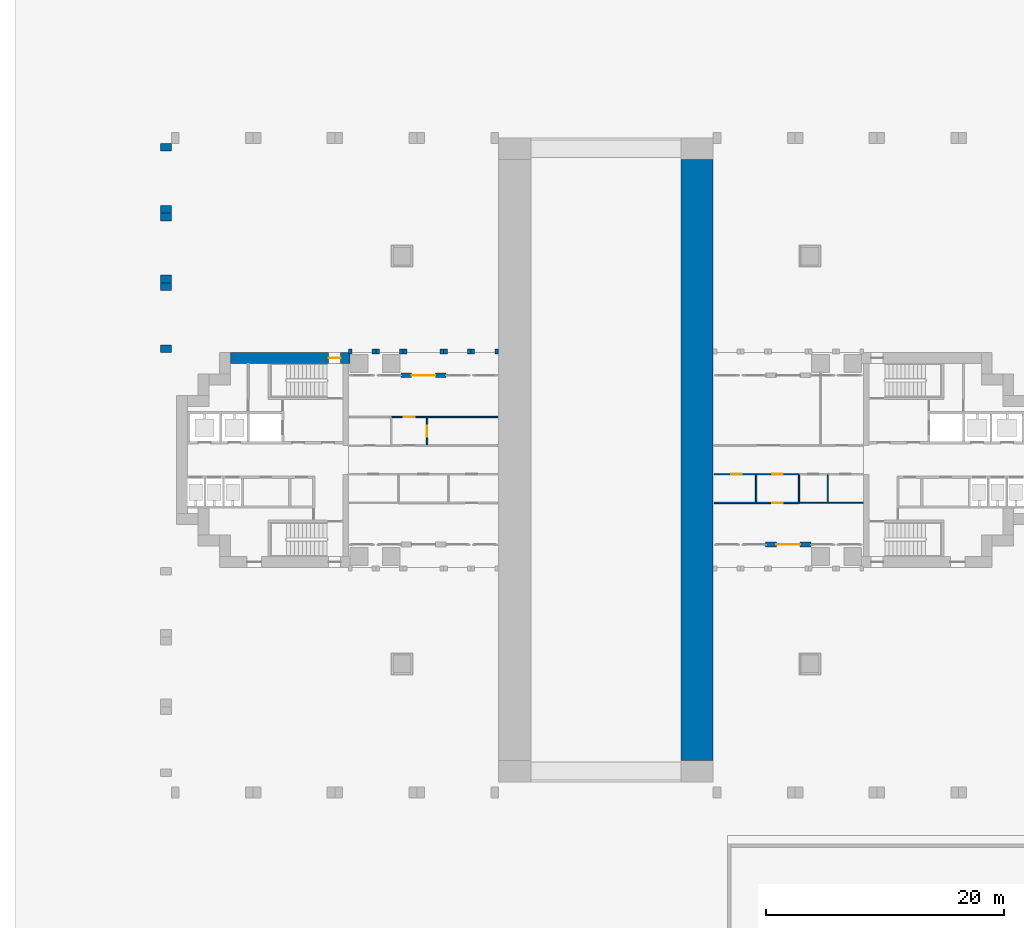
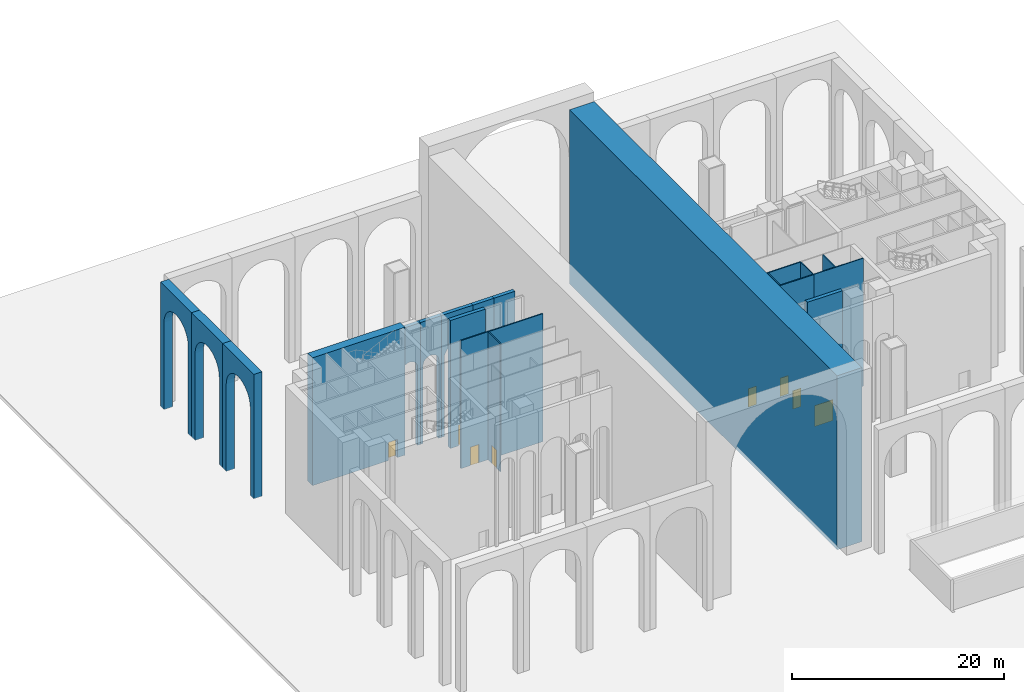
# One storey, part 7 of 18: 20 walls, 8 doors, 8 openings.
"""IFC4 building model written with IfcOpenShell, lengths in metres."""

from ifc_helpers import new_model, si_unit, direction, frame, frame_2d, origin, place, context, subcontext, project, spatial, polyline, rectangle, outline, extrude, material, layer, layer_set, type_object, element, fill, save


model = new_model("IFC4")

# Units and contexts
model_context = context("Model", 3, precision=1e-05, world=origin(), true_north=direction((0.0, 1.0)))
body_context = subcontext(model_context, "Body", "Model", "MODEL_VIEW")
ifc_project = project(units=[si_unit("LENGTHUNIT", "METRE"), si_unit("AREAUNIT", "SQUARE_METRE"), si_unit("VOLUMEUNIT", "CUBIC_METRE"), si_unit("PLANEANGLEUNIT", "RADIAN"), si_unit("MASSUNIT", "GRAM", prefix="KILO")], contexts=[model_context])

# Site, building, storey
site_placement = place(None, origin())
site = spatial("IfcSite", under=ifc_project, at=site_placement, CompositionType="ELEMENT")
building_placement = place(site_placement, origin())
building = spatial("IfcBuilding", under=site, at=building_placement, Name="Perihelion Cross Residences", CompositionType="ELEMENT")
storey_placement = place(building_placement, origin())
storey = spatial("IfcBuildingStorey", under=building, at=storey_placement, Name="L00", CompositionType="ELEMENT", Elevation=0.0)

# Walls
ifc_material_1 = material(Name="Concrete C40/50, bronze-clad", Category="concrete")
ifc_layer_1 = layer(ifc_material_1, 0.39990234375)
ifc_layer_set_1 = layer_set([ifc_layer_1], Name="Arcade wall 400, arched bay")
wall_type_1 = type_object("IfcWallType", Name="Arcade wall 400, arched bay", PredefinedType="SOLIDWALL", material=ifc_layer_set_1)
for number, where, z_axis, x_axis, name in (
    (1, (-9.0, 8.89990234375, 0.0), (0.0, 1.0, 0.0), (-1.0, 0.0, 0.0), "Wall AR1 L00 arcade west bay 1 no. 1"),
    (2, (-11.300048828125, 8.89990234375, 0.0), (0.0, 1.0, 0.0), (-1.0, 0.0, 0.0), "Wall AR1 L00 arcade west bay 2 no. 1"),
):
    element("IfcWall", number, at=place(storey_placement, frame(where, z_axis=z_axis, x_axis=x_axis)), inside=storey, type_object=wall_type_1, Name=name, PredefinedType="SOLIDWALL", context=body_context, shape_type="SweptSolid", body=[
        extrude(outline(polyline([(0.0, 0.0), (0.300048828125, 0.0), (0.300048828125, 9.0), (0.31640625, 9.165771484375), (0.36474609375, 9.3251953125), (0.443359375, 9.47216796875), (0.549072265625, 9.60107421875), (0.677734375, 9.706787109375), (0.82470703125, 9.785400390625), (0.984130859375, 9.833740234375), (1.14990234375, 9.85009765625), (1.31591796875, 9.833740234375), (1.475341796875, 9.785400390625), (1.622314453125, 9.706787109375), (1.7509765625, 9.60107421875), (1.856689453125, 9.47216796875), (1.935302734375, 9.3251953125), (1.983642578125, 9.165771484375), (2.0, 9.0), (2.0, 0.0), (2.300048828125, 0.0), (2.300048828125, 14.0), (0.0, 14.0), (0.0, 0.0)])), origin(), (0.0, 0.0, 1.0), 0.400146484375),
    ])
wall_1_placement = place(storey_placement, frame((-13.60009765625, 8.89990234375, 0.0), z_axis=(0.0, 1.0, 0.0), x_axis=(-1.0, 0.0, 0.0)))
element("IfcWall", 3, at=wall_1_placement, inside=storey, type_object=wall_type_1, Name="Wall AR1 L00 arcade west bay 3 no. 1", PredefinedType="SOLIDWALL", context=body_context, shape_type="SweptSolid", body=[
    extrude(outline(polyline([(0.0, 0.0), (0.300048828125, 0.0), (0.300048828125, 9.0), (0.326904296875, 9.273193359375), (0.406494140625, 9.53564453125), (0.535888671875, 9.77783203125), (0.7099609375, 9.989990234375), (0.922119140625, 10.1640625), (1.164306640625, 10.29345703125), (1.4267578125, 10.373046875), (1.699951171875, 10.39990234375), (1.97314453125, 10.373046875), (2.23583984375, 10.29345703125), (2.477783203125, 10.1640625), (2.68994140625, 9.989990234375), (2.864013671875, 9.77783203125), (2.993408203125, 9.53564453125), (3.072998046875, 9.273193359375), (3.10009765625, 9.0), (3.10009765625, 0.0), (3.39990234375, 0.0), (3.39990234375, 14.0), (0.0, 14.0), (0.0, 0.0)])), origin(), (0.0, 0.0, 1.0), 0.400146484375),
])
for number, where, z_axis, x_axis, name in (
    (4, (-17.0, 8.89990234375, 0.0), (0.0, 1.0, 0.0), (-1.0, 0.0, 0.0), "Wall AR1 L00 arcade west bay 4 no. 1"),
    (5, (-19.300048828125, 8.89990234375, 0.0), (0.0, 1.0, 0.0), (-1.0, 0.0, 0.0), "Wall AR1 L00 arcade west bay 5 no. 1"),
):
    element("IfcWall", number, at=place(storey_placement, frame(where, z_axis=z_axis, x_axis=x_axis)), inside=storey, type_object=wall_type_1, Name=name, PredefinedType="SOLIDWALL", context=body_context, shape_type="SweptSolid", body=[
        extrude(outline(polyline([(0.0, 0.0), (0.300048828125, 0.0), (0.300048828125, 9.0), (0.31640625, 9.165771484375), (0.36474609375, 9.3251953125), (0.443359375, 9.47216796875), (0.549072265625, 9.60107421875), (0.677734375, 9.706787109375), (0.82470703125, 9.785400390625), (0.984130859375, 9.833740234375), (1.14990234375, 9.85009765625), (1.31591796875, 9.833740234375), (1.475341796875, 9.785400390625), (1.622314453125, 9.706787109375), (1.7509765625, 9.60107421875), (1.856689453125, 9.47216796875), (1.935302734375, 9.3251953125), (1.983642578125, 9.165771484375), (2.0, 9.0), (2.0, 0.0), (2.300048828125, 0.0), (2.300048828125, 14.0), (0.0, 14.0), (0.0, 0.0)])), origin(), (0.0, 0.0, 1.0), 0.400146484375),
    ])

# Wall, opening, door
ifc_material_2 = material(Name="Concrete C60/75", Category="concrete")
ifc_layer_2 = layer(ifc_material_2, 0.89990234375)
ifc_layer_set_2 = layer_set([ifc_layer_2], Name="Core wall, outer 900")
wall_type_2 = type_object("IfcWallType", Name="Core wall, outer 900", PredefinedType="SHEAR", material=ifc_layer_set_2)
wall_2_placement = place(storey_placement, frame((-31.5, 8.550048828125, 0.0), z_axis=(0.0, 0.0, 1.0), x_axis=(1.0, 0.0, 0.0)))
wall_2 = element("IfcWall", 6, at=wall_2_placement, inside=storey, type_object=wall_type_2, Name="West core core wall, outer", PredefinedType="SHEAR", context=body_context, shape_type="SweptSolid", body=[
    extrude(rectangle(XDim=10.050048828125, YDim=0.89990234375, at=frame_2d((5.02490234375, 0.0))), origin(), (0.0, 0.0, 1.0), 14.699951171875),
])
opening_1_placement = place(wall_2_placement, frame((8.25, 0.0, 0.0)))
opening_1 = element("IfcOpeningElement", 7, at=opening_1_placement, cuts=wall_2, Name="Opening L00.C29", PredefinedType="OPENING", context=body_context, shape_type="SweptSolid", body=[
    extrude(rectangle(XDim=1.0, YDim=2.10009765625, at=frame_2d((0.5, 1.050048828125))), frame((0.0, 0.4599609375, 0.0), z_axis=(0.0, -1.0, 0.0), x_axis=(1.0, 0.0, 0.0)), (0.0, 0.0, 1.0), 0.919921875),
])
ifc_material_3 = material(Name="Steel, powder coated", Category="steel")
door_type_1 = type_object("IfcDoorType", Name="Stair exit door 1000", OperationType="SINGLE_SWING_LEFT", PredefinedType="DOOR", material=ifc_material_3)
door_1_placement = place(opening_1_placement, origin())
door_1 = element("IfcDoor", 8, at=door_1_placement, inside=storey, type_object=door_type_1, Name="West core stair exit door", OperationType="SINGLE_SWING_LEFT", OverallHeight=2.10009765625, OverallWidth=1.0, PredefinedType="DOOR", context=body_context, shape_type="SweptSolid", body=[
    extrude(rectangle(XDim=1.0, YDim=2.10009765625, at=frame_2d((0.5, 1.050048828125))), frame((0.0, 0.02490234375, 0.0), z_axis=(0.0, -1.0, 0.0), x_axis=(1.0, 0.0, 0.0)), (0.0, 0.0, 1.0), 0.050048828125),
])
fill(opening_1, door_1)

ifc_material_4 = material(Name="Concrete C40/50, bronze-clad", Category="concrete")
ifc_layer_3 = layer(ifc_material_4, 0.39990234375)
ifc_layer_set_3 = layer_set([ifc_layer_3], Name="Entrance portal wall 400")
wall_type_3 = type_object("IfcWallType", Name="Entrance portal wall 400", PredefinedType="SOLIDWALL", material=ifc_layer_set_3)
wall_3_placement = place(storey_placement, frame((13.39990234375, -7.10009765625, 0.0), z_axis=(0.0, 0.0, 1.0), x_axis=(1.0, 0.0, 0.0)))
wall_3 = element("IfcWall", 9, at=wall_3_placement, inside=storey, type_object=wall_type_3, Name="Wall FW3 L00 arcade east bay 3 portal no. 2", PredefinedType="SOLIDWALL", context=body_context, shape_type="SweptSolid", body=[
    extrude(rectangle(XDim=3.800048828125, YDim=0.39990234375, at=frame_2d((1.89990234375, 0.0))), origin(), (0.0, 0.0, 1.0), 14.699951171875),
])
opening_2_placement = place(wall_3_placement, frame((0.89990234375, 0.0, 0.0)))
opening_2 = element("IfcOpeningElement", 10, at=opening_2_placement, cuts=wall_3, Name="Opening L00.E02", PredefinedType="OPENING", context=body_context, shape_type="SweptSolid", body=[
    extrude(rectangle(XDim=2.0, YDim=2.39990234375, at=frame_2d((1.0, 1.199951171875))), frame((0.0, 0.2099609375, 0.0), z_axis=(0.0, -1.0, 0.0), x_axis=(1.0, 0.0, 0.0)), (0.0, 0.0, 1.0), 0.419921875),
])
ifc_material_5 = material(Name="Bronze anodised aluminium, glazed", Category="aluminium")
door_type_2 = type_object("IfcDoorType", Name="Entrance door pair 2000 x 2400", OperationType="NOTDEFINED", PredefinedType="DOOR", material=ifc_material_5)
door_2_placement = place(opening_2_placement, origin())
door_2 = element("IfcDoor", 11, at=door_2_placement, inside=storey, type_object=door_type_2, Name="Door L00.E02 arcade east bay 3 entrance no. 1", OperationType="DOUBLE_DOOR_SINGLE_SWING", OverallHeight=2.39990234375, OverallWidth=2.0, PredefinedType="DOOR", context=body_context, shape_type="SweptSolid", body=[
    extrude(rectangle(XDim=2.0, YDim=2.39990234375, at=frame_2d((1.0, 1.199951171875))), frame((0.0, 0.02490234375, 0.0), z_axis=(0.0, -1.0, 0.0), x_axis=(1.0, 0.0, 0.0)), (0.0, 0.0, 1.0), 0.050048828125),
])
fill(opening_2, door_2)

wall_4_placement = place(storey_placement, frame((-13.39990234375, 7.10009765625, 0.0), z_axis=(0.0, 0.0, 1.0), x_axis=(-1.0, 0.0, 0.0)))
wall_4 = element("IfcWall", 12, at=wall_4_placement, inside=storey, type_object=wall_type_3, Name="Wall FW3 L00 arcade west bay 3 portal no. 1", PredefinedType="SOLIDWALL", context=body_context, shape_type="SweptSolid", body=[
    extrude(rectangle(XDim=3.800048828125, YDim=0.39990234375, at=frame_2d((1.89990234375, 0.0))), origin(), (0.0, 0.0, 1.0), 14.699951171875),
])
opening_3_placement = place(wall_4_placement, frame((0.89990234375, 0.0, 0.0)))
opening_3 = element("IfcOpeningElement", 13, at=opening_3_placement, cuts=wall_4, Name="Opening L00.E03", PredefinedType="OPENING", context=body_context, shape_type="SweptSolid", body=[
    extrude(rectangle(XDim=2.0, YDim=2.39990234375, at=frame_2d((1.0, 1.199951171875))), frame((0.0, 0.2099609375, 0.0), z_axis=(0.0, -1.0, 0.0), x_axis=(1.0, 0.0, 0.0)), (0.0, 0.0, 1.0), 0.419921875),
])
door_3_placement = place(opening_3_placement, origin())
door_3 = element("IfcDoor", 14, at=door_3_placement, inside=storey, type_object=door_type_2, Name="Door L00.E03 arcade west bay 3 entrance no. 1", OperationType="DOUBLE_DOOR_SINGLE_SWING", OverallHeight=2.39990234375, OverallWidth=2.0, PredefinedType="DOOR", context=body_context, shape_type="SweptSolid", body=[
    extrude(rectangle(XDim=2.0, YDim=2.39990234375, at=frame_2d((1.0, 1.199951171875))), frame((0.0, 0.02490234375, 0.0), z_axis=(0.0, -1.0, 0.0), x_axis=(1.0, 0.0, 0.0)), (0.0, 0.0, 1.0), 0.050048828125),
])
fill(opening_3, door_3)

# Walls
ifc_material_6 = material(Name="Concrete C50/60", Category="concrete")
ifc_layer_4 = layer(ifc_material_6, 0.89990234375)
ifc_layer_set_4 = layer_set([ifc_layer_4], Name="Loggia arcade wall 900, arched bay")
wall_type_4 = type_object("IfcWallType", Name="Loggia arcade wall 900, arched bay", PredefinedType="SOLIDWALL", material=ifc_layer_set_4)
for number, where, z_axis, x_axis, name in (
    (15, (-36.449951171875, 26.550048828125, 0.0), (-1.0, 0.0, 0.0), (0.0, -1.0, 0.0), "Wall AR3 L00 loggia north-west east-west bay 1"),
    (16, (-36.449951171875, 20.699951171875, 0.0), (-1.0, 0.0, 0.0), (0.0, -1.0, 0.0), "Wall AR3 L00 loggia north-west east-west bay 2"),
    (17, (-36.449951171875, 14.85009765625, 0.0), (-1.0, 0.0, 0.0), (0.0, -1.0, 0.0), "Wall AR3 L00 loggia north-west east-west bay 3"),
):
    element("IfcWall", number, at=place(storey_placement, frame(where, z_axis=z_axis, x_axis=x_axis)), inside=storey, type_object=wall_type_4, Name=name, PredefinedType="SOLIDWALL", context=body_context, shape_type="SweptSolid", body=[
        extrude(outline(polyline([(0.0, 0.0), (0.64990234375, 0.0), (0.64990234375, 10.0), (0.693603515625, 10.44384765625), (0.8232421875, 10.87060546875), (1.033447265625, 11.263916015625), (1.31640625, 11.608642578125), (1.6611328125, 11.8916015625), (2.054443359375, 12.101806640625), (2.481201171875, 12.231201171875), (2.925048828125, 12.27490234375), (3.368896484375, 12.231201171875), (3.795654296875, 12.101806640625), (4.18896484375, 11.8916015625), (4.53369140625, 11.608642578125), (4.816650390625, 11.263916015625), (5.02685546875, 10.87060546875), (5.15625, 10.44384765625), (5.199951171875, 10.0), (5.199951171875, 0.0), (5.85009765625, 0.0), (5.85009765625, 14.300048828125), (0.0, 14.300048828125), (0.0, 0.0)])), origin(), (0.0, 0.0, 1.0), 0.900146484375),
    ])

# Wall, openings, doors
ifc_material_7 = material(Name="Plasterboard partition")
ifc_layer_5 = layer(ifc_material_7, 0.1201171875)
ifc_layer_set_5 = layer_set([ifc_layer_5], Name="Partition wall 120")
wall_type_5 = type_object("IfcWallType", Name="Partition wall 120", PredefinedType="PARTITIONING", material=ifc_layer_set_5)
wall_5_placement = place(storey_placement, frame((16.199951171875, -1.199951171875, 0.0), z_axis=(0.0, 0.0, 1.0), x_axis=(-1.0, 0.0, 0.0)))
wall_5 = element("IfcWall", 18, at=wall_5_placement, inside=storey, type_object=wall_type_5, Name="Partition L00 W002", PredefinedType="PARTITIONING", context=body_context, shape_type="SweptSolid", body=[
    extrude(rectangle(XDim=7.119873046875, YDim=0.1201171875, at=frame_2d((3.56005859375, 0.0))), origin(), (0.0, 0.0, 1.0), 14.699951171875),
])
opening_4_placement = place(wall_5_placement, frame((4.800048828125, 0.0, 0.0)))
opening_4 = element("IfcOpeningElement", 19, at=opening_4_placement, cuts=wall_5, Name="Opening L00.A03", PredefinedType="OPENING", context=body_context, shape_type="SweptSolid", body=[
    extrude(rectangle(XDim=0.89990234375, YDim=2.10009765625, at=frame_2d((0.449951171875, 1.050048828125))), frame((0.0, 0.070068359375, 0.0), z_axis=(0.0, -1.0, 0.0), x_axis=(1.0, 0.0, 0.0)), (0.0, 0.0, 1.0), 0.14013671875),
])
opening_5_placement = place(wall_5_placement, frame((1.35009765625, 0.0, 0.0)))
opening_5 = element("IfcOpeningElement", 20, at=opening_5_placement, cuts=wall_5, Name="Opening L00.A04", PredefinedType="OPENING", context=body_context, shape_type="SweptSolid", body=[
    extrude(rectangle(XDim=0.89990234375, YDim=2.10009765625, at=frame_2d((0.449951171875, 1.050048828125))), frame((0.0, 0.070068359375, 0.0), z_axis=(0.0, -1.0, 0.0), x_axis=(1.0, 0.0, 0.0)), (0.0, 0.0, 1.0), 0.14013671875),
])
ifc_material_8 = material(Name="Timber door leaf", Category="wood")
door_type_3 = type_object("IfcDoorType", Name="Interior room door 900 x 2100", OperationType="SINGLE_SWING_LEFT", PredefinedType="DOOR", material=ifc_material_8)
door_4_placement = place(opening_4_placement, origin())
door_4 = element("IfcDoor", 21, at=door_4_placement, inside=storey, type_object=door_type_3, Name="Door L00.A03", OperationType="SINGLE_SWING_LEFT", OverallHeight=2.10009765625, OverallWidth=0.89990234375, PredefinedType="DOOR", context=body_context, shape_type="SweptSolid", body=[
    extrude(rectangle(XDim=0.89990234375, YDim=2.10009765625, at=frame_2d((0.449951171875, 1.050048828125))), frame((0.0, 0.02490234375, 0.0), z_axis=(0.0, -1.0, 0.0), x_axis=(1.0, 0.0, 0.0)), (0.0, 0.0, 1.0), 0.050048828125),
])
fill(opening_4, door_4)
door_5_placement = place(opening_5_placement, origin())
door_5 = element("IfcDoor", 22, at=door_5_placement, inside=storey, type_object=door_type_3, Name="Door L00.A04", OperationType="SINGLE_SWING_RIGHT", OverallHeight=2.10009765625, OverallWidth=0.89990234375, PredefinedType="DOOR", context=body_context, shape_type="SweptSolid", body=[
    extrude(rectangle(XDim=0.89990234375, YDim=2.10009765625, at=frame_2d((0.449951171875, 1.050048828125))), frame((0.0, 0.02490234375, 0.0), z_axis=(0.0, -1.0, 0.0), x_axis=(1.0, 0.0, 0.0)), (0.0, 0.0, 1.0), 0.050048828125),
])
fill(opening_5, door_5)

# Wall, opening, door
wall_6_placement = place(storey_placement, frame((9.080078125, -3.60009765625, 0.0), z_axis=(0.0, 0.0, 1.0), x_axis=(1.0, 0.0, 0.0)))
wall_6 = element("IfcWall", 23, at=wall_6_placement, inside=storey, type_object=wall_type_5, Name="Partition L00 W009", PredefinedType="PARTITIONING", context=body_context, shape_type="SweptSolid", body=[
    extrude(rectangle(XDim=7.119873046875, YDim=0.1201171875, at=frame_2d((3.56005859375, 0.0))), origin(), (0.0, 0.0, 1.0), 14.699951171875),
])
opening_6_placement = place(wall_6_placement, frame((4.8701171875, 0.0, 0.0)))
opening_6 = element("IfcOpeningElement", 24, at=opening_6_placement, cuts=wall_6, Name="Opening L00.A07", PredefinedType="OPENING", context=body_context, shape_type="SweptSolid", body=[
    extrude(rectangle(XDim=0.89990234375, YDim=2.10009765625, at=frame_2d((0.449951171875, 1.050048828125))), frame((0.0, 0.070068359375, 0.0), z_axis=(0.0, -1.0, 0.0), x_axis=(1.0, 0.0, 0.0)), (0.0, 0.0, 1.0), 0.14013671875),
])
door_6_placement = place(opening_6_placement, origin())
door_6 = element("IfcDoor", 25, at=door_6_placement, inside=storey, type_object=door_type_3, Name="Door L00.A07", OperationType="SINGLE_SWING_LEFT", OverallHeight=2.10009765625, OverallWidth=0.89990234375, PredefinedType="DOOR", context=body_context, shape_type="SweptSolid", body=[
    extrude(rectangle(XDim=0.89990234375, YDim=2.10009765625, at=frame_2d((0.449951171875, 1.050048828125))), frame((0.0, 0.02490234375, 0.0), z_axis=(0.0, -1.0, 0.0), x_axis=(1.0, 0.0, 0.0)), (0.0, 0.0, 1.0), 0.050048828125),
])
fill(opening_6, door_6)

# Wall
wall_7_placement = place(storey_placement, frame((12.60009765625, -1.260009765625, 0.0), z_axis=(0.0, 0.0, 1.0), x_axis=(0.0, -1.0, 0.0)))
element("IfcWall", 26, at=wall_7_placement, inside=storey, type_object=wall_type_5, Name="Partition L00 W011", PredefinedType="PARTITIONING", context=body_context, shape_type="SweptSolid", body=[
    extrude(rectangle(XDim=2.280029296875, YDim=0.1201171875, at=frame_2d((1.14013671875, 0.0))), origin(), (0.0, 0.0, 1.0), 14.699951171875),
])

# Wall, opening, door
wall_8_placement = place(storey_placement, frame((-9.080078125, 3.60009765625, 0.0), z_axis=(0.0, 0.0, 1.0), x_axis=(-1.0, 0.0, 0.0)))
wall_8 = element("IfcWall", 27, at=wall_8_placement, inside=storey, type_object=wall_type_5, Name="Partition L00 W014", PredefinedType="PARTITIONING", context=body_context, shape_type="SweptSolid", body=[
    extrude(rectangle(XDim=8.919921875, YDim=0.1201171875, at=frame_2d((4.4599609375, 0.0))), origin(), (0.0, 0.0, 1.0), 14.699951171875),
])
opening_7_placement = place(wall_8_placement, frame((6.969970703125, 0.0, 0.0)))
opening_7 = element("IfcOpeningElement", 28, at=opening_7_placement, cuts=wall_8, Name="Opening L00.A14", PredefinedType="OPENING", context=body_context, shape_type="SweptSolid", body=[
    extrude(rectangle(XDim=0.89990234375, YDim=2.10009765625, at=frame_2d((0.449951171875, 1.050048828125))), frame((0.0, 0.070068359375, 0.0), z_axis=(0.0, -1.0, 0.0), x_axis=(1.0, 0.0, 0.0)), (0.0, 0.0, 1.0), 0.14013671875),
])
door_7_placement = place(opening_7_placement, origin())
door_7 = element("IfcDoor", 29, at=door_7_placement, inside=storey, type_object=door_type_3, Name="Door L00.A14", OperationType="SINGLE_SWING_RIGHT", OverallHeight=2.10009765625, OverallWidth=0.89990234375, PredefinedType="DOOR", context=body_context, shape_type="SweptSolid", body=[
    extrude(rectangle(XDim=0.89990234375, YDim=2.10009765625, at=frame_2d((0.449951171875, 1.050048828125))), frame((0.0, 0.02490234375, 0.0), z_axis=(0.0, -1.0, 0.0), x_axis=(1.0, 0.0, 0.0)), (0.0, 0.0, 1.0), 0.050048828125),
])
fill(opening_7, door_7)

wall_9_placement = place(storey_placement, frame((-15.0, 1.260009765625, 0.0), z_axis=(0.0, 0.0, 1.0), x_axis=(0.0, 1.0, 0.0)))
wall_9 = element("IfcWall", 30, at=wall_9_placement, inside=storey, type_object=wall_type_5, Name="Partition L00 W016", PredefinedType="PARTITIONING", context=body_context, shape_type="SweptSolid", body=[
    extrude(rectangle(XDim=2.280029296875, YDim=0.1201171875, at=frame_2d((1.14013671875, 0.0))), origin(), (0.0, 0.0, 1.0), 14.699951171875),
])
opening_8_placement = place(wall_9_placement, frame((0.68994140625, 0.0, 0.0)))
opening_8 = element("IfcOpeningElement", 31, at=opening_8_placement, cuts=wall_9, Name="Opening L00.A15", PredefinedType="OPENING", context=body_context, shape_type="SweptSolid", body=[
    extrude(rectangle(XDim=0.89990234375, YDim=2.10009765625, at=frame_2d((0.449951171875, 1.050048828125))), frame((0.0, 0.070068359375, 0.0), z_axis=(0.0, -1.0, 0.0), x_axis=(1.0, 0.0, 0.0)), (0.0, 0.0, 1.0), 0.14013671875),
])
door_8_placement = place(opening_8_placement, origin())
door_8 = element("IfcDoor", 32, at=door_8_placement, inside=storey, type_object=door_type_3, Name="Door L00.A15", OperationType="SINGLE_SWING_RIGHT", OverallHeight=2.10009765625, OverallWidth=0.89990234375, PredefinedType="DOOR", context=body_context, shape_type="SweptSolid", body=[
    extrude(rectangle(XDim=0.89990234375, YDim=2.10009765625, at=frame_2d((0.449951171875, 1.050048828125))), frame((0.0, 0.02490234375, 0.0), z_axis=(0.0, -1.0, 0.0), x_axis=(1.0, 0.0, 0.0)), (0.0, 0.0, 1.0), 0.050048828125),
])
fill(opening_8, door_8)

# Walls
ifc_material_9 = material(Name="Concrete C60/75", Category="concrete")
ifc_layer_6 = layer(ifc_material_9, 2.699951171875)
ifc_layer_set_6 = layer_set([ifc_layer_6], Name="Pier wall 2700 concrete C60/75")
wall_type_6 = type_object("IfcWallType", Name="Pier wall 2700 concrete C60/75", PredefinedType="SOLIDWALL", material=ifc_layer_set_6)
wall_10_placement = place(storey_placement, frame((7.64990234375, -25.199951171875, -0.39990234375), z_axis=(0.0, 0.0, 1.0), x_axis=(0.0, 1.0, 0.0)))
element("IfcWall", 33, at=wall_10_placement, inside=storey, type_object=wall_type_6, Name="Wall SW11 L00 pier east", PredefinedType="SOLIDWALL", context=body_context, shape_type="SweptSolid", body=[
    extrude(rectangle(XDim=50.39990234375, YDim=2.699951171875, at=frame_2d((25.199951171875, 0.0))), origin(), (0.0, 0.0, 1.0), 20.0),
])
ifc_material_10 = material(Name="Plasterboard partition")
ifc_layer_7 = layer(ifc_material_10, 0.10009765625)
ifc_layer_set_7 = layer_set([ifc_layer_7], Name="Wet room wall 100")
wall_type_7 = type_object("IfcWallType", Name="Wet room wall 100", PredefinedType="PARTITIONING", material=ifc_layer_set_7)
wall_11_placement = place(storey_placement, frame((16.199951171875, -3.60009765625, 0.0), z_axis=(0.0, 0.0, 1.0), x_axis=(1.0, 0.0, 0.0)))
element("IfcWall", 34, at=wall_11_placement, inside=storey, type_object=wall_type_7, Name="Partition L00 W010", PredefinedType="PARTITIONING", context=body_context, shape_type="SweptSolid", body=[
    extrude(rectangle(XDim=5.400146484375, YDim=0.10009765625, at=frame_2d((2.7001953125, 0.0))), origin(), (0.0, 0.0, 1.0), 14.699951171875),
])
wall_12_placement = place(storey_placement, frame((16.199951171875, -1.260009765625, 0.0), z_axis=(0.0, 0.0, 1.0), x_axis=(0.0, -1.0, 0.0)))
element("IfcWall", 35, at=wall_12_placement, inside=storey, type_object=wall_type_7, Name="Partition L00 W012", PredefinedType="PARTITIONING", context=body_context, shape_type="SweptSolid", body=[
    extrude(rectangle(XDim=2.280029296875, YDim=0.10009765625, at=frame_2d((1.14013671875, 0.0))), origin(), (0.0, 0.0, 1.0), 14.699951171875),
])
wall_13_placement = place(storey_placement, frame((18.60009765625, -1.25, 0.0), z_axis=(0.0, 0.0, 1.0), x_axis=(0.0, -1.0, 0.0)))
element("IfcWall", 36, at=wall_13_placement, inside=storey, type_object=wall_type_7, Name="Partition L00 W013", PredefinedType="PARTITIONING", context=body_context, shape_type="SweptSolid", body=[
    extrude(rectangle(XDim=2.300048828125, YDim=0.10009765625, at=frame_2d((1.14990234375, 0.0))), origin(), (0.0, 0.0, 1.0), 14.699951171875),
])

save(model, "model.ifc")
